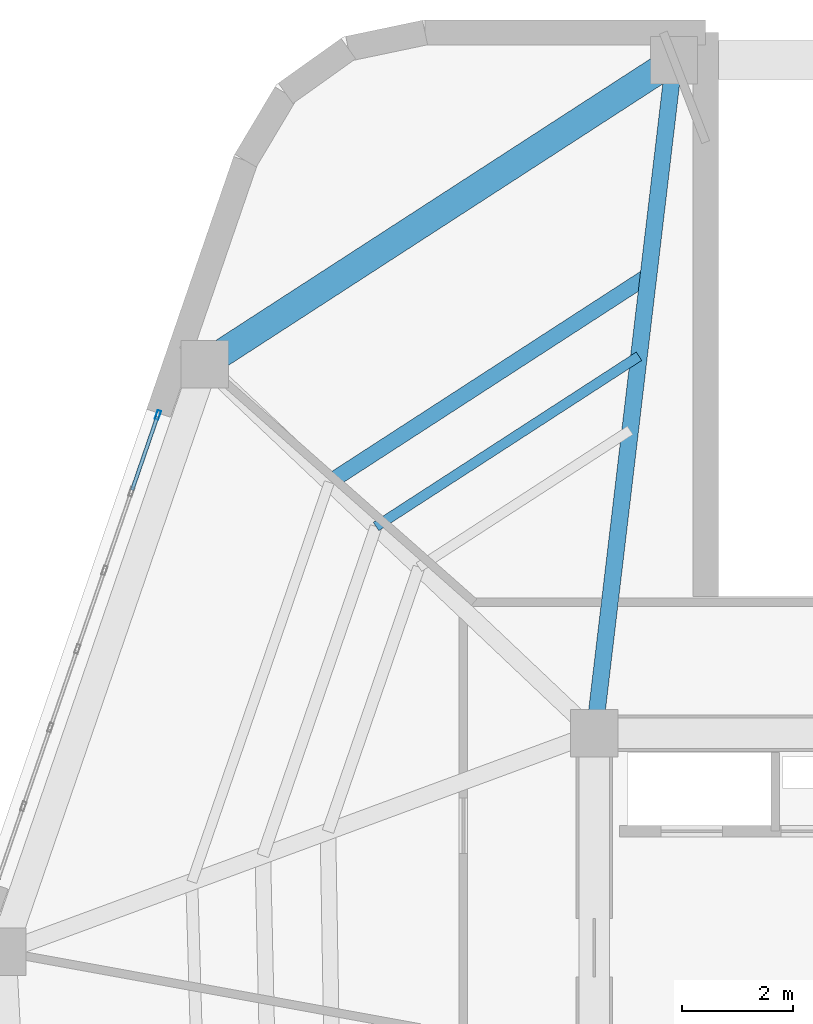
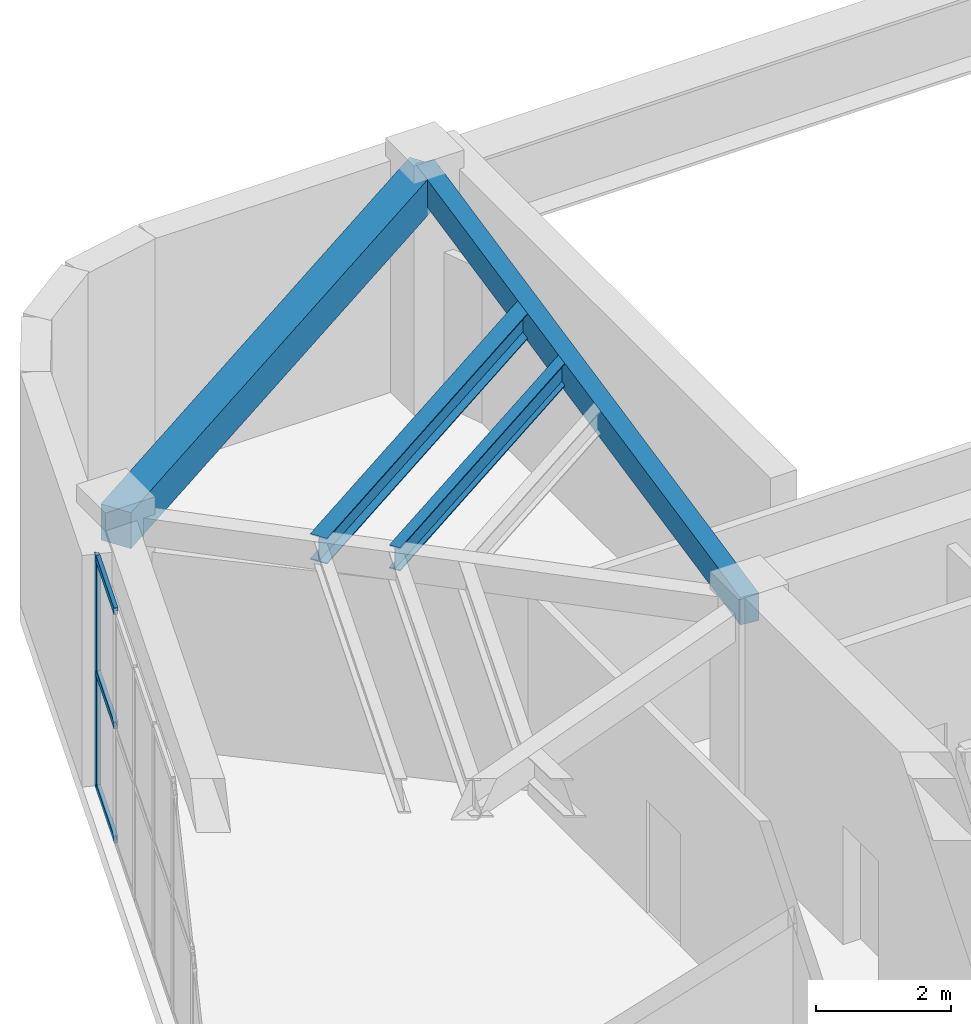
# One storey, part 7 of 15: 4 beams, 4 members, 1 element without a shape of its own.
"""IFC4 building model written with IfcOpenShell, lengths in metres."""

from ifc_helpers import new_model, si_unit, direction, frame, origin, origin_2d, place, context, subcontext, project, spatial, rectangle, hollow_rectangle, i_section, extrude, material, layer, layer_set, material_profile, profile_set, type_object, element, aggregate, save


model = new_model("IFC4")

# Units and contexts
model_context = context("Model", 3, precision=1e-05, world=origin(), true_north=direction((0.0, 1.0)))
body_context = subcontext(model_context, "Body", "Model", "MODEL_VIEW")
ifc_project = project(units=[si_unit("LENGTHUNIT", "METRE"), si_unit("AREAUNIT", "SQUARE_METRE"), si_unit("VOLUMEUNIT", "CUBIC_METRE"), si_unit("PLANEANGLEUNIT", "RADIAN"), si_unit("MASSUNIT", "GRAM", prefix="KILO")], contexts=[model_context])

# Site, building, storey
site_placement = place(None, origin())
site = spatial("IfcSite", under=ifc_project, at=site_placement, CompositionType="ELEMENT")
building_placement = place(site_placement, origin())
building = spatial("IfcBuilding", under=site, at=building_placement, Name="Kilnhurst Terrace Hotel", CompositionType="ELEMENT")
storey_placement = place(building_placement, frame((0.0, 0.0, 293.10009765625)))
storey = spatial("IfcBuildingStorey", under=building, at=storey_placement, Name="L73", CompositionType="ELEMENT", Elevation=293.10009765625)

# Beams
ifc_material_1 = material(Name="Concrete C50/60", Category="concrete")
ifc_material_profile_1 = material_profile(ifc_material_1, rectangle(XDim=0.300048828125, YDim=0.5, at=origin_2d()), Name="RC300X500")
ifc_profile_set_1 = profile_set([ifc_material_profile_1], Name="Concrete C50/60")
beam_type_1 = type_object("IfcBeamType", Name="BM-RAD-300X500", PredefinedType="BEAM", material=ifc_profile_set_1)
beam_1_placement = place(storey_placement, frame((-9.0, 7.5, 3.929931640625), z_axis=(0.117629552811, 0.993057545314, 0.0), x_axis=(-0.993057545314, 0.117629552811, 0.0)))
element("IfcBeam", 1, at=beam_1_placement, inside=storey, type_object=beam_type_1, Name="L73 Radial Floor Beam 8", PredefinedType="BEAM", context=body_context, shape_type="SweptSolid", body=[
    extrude(rectangle(XDim=0.300048828125, YDim=0.5, at=origin_2d()), origin(), (0.0, 0.0, 1.0), 12.16455078125),
])
ifc_material_profile_2 = material_profile(ifc_material_1, rectangle(XDim=0.5, YDim=0.64990234375, at=origin_2d()), Name="RC500X650")
ifc_profile_set_2 = profile_set([ifc_material_profile_2], Name="Concrete C50/60")
beam_type_2 = type_object("IfcBeamType", Name="BM-SPN-500X650", PredefinedType="SPANDREL", material=ifc_profile_set_2)
beam_2_placement = place(storey_placement, frame((-7.569091796875, 19.580078125, 3.85498046875), z_axis=(-0.839258818809, -0.543732135386, 0.0), x_axis=(0.543732135386, -0.839258818809, 0.0)))
element("IfcBeam", 2, at=beam_2_placement, inside=storey, type_object=beam_type_2, Name="L73 Perimeter Spandrel Beam 8", PredefinedType="SPANDREL", context=body_context, shape_type="SweptSolid", body=[
    extrude(rectangle(XDim=0.5, YDim=0.64990234375, at=origin_2d()), origin(), (0.0, 0.0, 1.0), 10.039794921875),
])
ifc_material_2 = material(Name="Steel ASTM A992 Grade 50", Category="steel")
ifc_material_profile_3 = material_profile(ifc_material_2, i_section(OverallWidth=0.180908203125, OverallDepth=0.417236328125, WebThickness=0.010986328125, FlangeThickness=0.018310546875, at=origin_2d()), Name="W16X57")
ifc_profile_set_3 = profile_set([ifc_material_profile_3], Name="Steel ASTM A992 Grade 50")
beam_type_3 = type_object("IfcBeamType", Name="JST-STL-W16X57", PredefinedType="JOIST", material=ifc_profile_set_3)
beam_3_placement = place(storey_placement, frame((-8.198486328125, 14.264892578125, 3.970947265625), z_axis=(-0.839260135854, -0.543730102502, 0.0), x_axis=(0.543730102502, -0.839260135854, 0.0)))
element("IfcBeam", 3, at=beam_3_placement, inside=storey, type_object=beam_type_3, Name="L73 Secondary Floor Steel Joist MID.8", PredefinedType="JOIST", context=body_context, shape_type="SweptSolid", body=[
    extrude(i_section(OverallWidth=0.180908203125, OverallDepth=0.417236328125, WebThickness=0.010986328125, FlangeThickness=0.018310546875, at=origin_2d()), origin(), (0.0, 0.0, 1.0), 5.62255859375),
])
ifc_material_profile_4 = material_profile(ifc_material_2, i_section(OverallWidth=0.279296875, OverallDepth=0.462890625, WebThickness=0.0107421875, FlangeThickness=0.017333984375, at=origin_2d()), Name="W18X76")
ifc_profile_set_4 = profile_set([ifc_material_profile_4], Name="Steel ASTM A992 Grade 50")
beam_type_4 = type_object("IfcBeamType", Name="JST-STL-W18X76", PredefinedType="JOIST", material=ifc_profile_set_4)
beam_4_placement = place(storey_placement, frame((-8.02685546875, 15.71435546875, 3.947998046875), z_axis=(-0.839257246669, -0.543734562001, 0.0), x_axis=(0.543734562001, -0.839257246669, 0.0)))
element("IfcBeam", 4, at=beam_4_placement, inside=storey, type_object=beam_type_4, Name="L73 Secondary Floor Steel Joist OUT.8", PredefinedType="JOIST", context=body_context, shape_type="SweptSolid", body=[
    extrude(i_section(OverallWidth=0.279296875, OverallDepth=0.462890625, WebThickness=0.0107421875, FlangeThickness=0.017333984375, at=origin_2d()), origin(), (0.0, 0.0, 1.0), 6.8271484375),
])

# Curtain wall, members
ifc_material_3 = material(Name="Anodized Aluminium Alloy 6063-T6 and Low-E Glass", Category="aluminium")
ifc_layer = layer(ifc_material_3, 0.219970703125, Name="Anodized Aluminium Alloy 6063-T6 and Low-E Glass")
ifc_layer_set = layer_set([ifc_layer], Name="Anodized Aluminium Alloy 6063-T6 and Low-E Glass")
curtain_wall_type = type_object("IfcCurtainWallType", Name="CW-PORTAL-L72", PredefinedType="NOTDEFINED", material=ifc_layer_set)
curtain_wall_placement = place(storey_placement, origin())
curtain_wall = element("IfcCurtainWall", 5, at=curtain_wall_placement, inside=storey, type_object=curtain_wall_type, Name="L73 Curtain Wall CW-L73-F5-1", PredefinedType="NOTDEFINED")
ifc_material_4 = material(Name="Extruded Aluminium Alloy 6063-T6", Category="aluminium")
ifc_material_profile_5 = material_profile(ifc_material_4, hollow_rectangle(XDim=0.06494140625, YDim=0.1650390625, WallThickness=0.00341796875, at=origin_2d()), Name="CWM65X165")
ifc_profile_set_5 = profile_set([ifc_material_profile_5], Name="Extruded Aluminium Alloy 6063-T6")
member_type_1 = type_object("IfcMemberType", Name="MEM-CWM65X165", PredefinedType="MULLION", material=ifc_profile_set_5)
member_1_placement = place(storey_placement, frame((-16.831298828125, 13.21142578125, 0.0), z_axis=(0.0, 0.0, 1.0), x_axis=(0.945577644137, -0.325396556387, 0.0)))
member_1 = element("IfcMember", 6, at=member_1_placement, type_object=member_type_1, Name="CWP-5 mullion 1", PredefinedType="MULLION", context=body_context, shape_type="SweptSolid", body=[
    extrude(hollow_rectangle(XDim=0.06494140625, YDim=0.1650390625, WallThickness=0.00341796875, at=origin_2d()), origin(), (0.0, 0.0, 1.0), 4.179931640625),
])
ifc_material_profile_6 = material_profile(ifc_material_4, hollow_rectangle(XDim=0.06494140625, YDim=0.1201171875, WallThickness=0.00341796875, at=origin_2d()), Name="CWT65X120")
ifc_profile_set_6 = profile_set([ifc_material_profile_6], Name="Extruded Aluminium Alloy 6063-T6")
member_type_2 = type_object("IfcMemberType", Name="MEM-CWT65X120", PredefinedType="USERDEFINED", material=ifc_profile_set_6)
member_2_placement = place(storey_placement, frame((-16.842041015625, 13.1806640625, 0.032470703125), z_axis=(-0.325402621342, -0.945575557015, 0.0), x_axis=(0.945575557015, -0.325402621342, 0.0)))
member_2 = element("IfcMember", 7, at=member_2_placement, type_object=member_type_2, Name="CWP-5 transom 1.1", ObjectType="TRANSOM", PredefinedType="USERDEFINED", context=body_context, shape_type="SweptSolid", body=[
    extrude(hollow_rectangle(XDim=0.06494140625, YDim=0.1201171875, WallThickness=0.00341796875, at=origin_2d()), origin(), (0.0, 0.0, 1.0), 1.394775390625),
])
member_3_placement = place(storey_placement, frame((-16.842041015625, 13.1806640625, 2.08984375), z_axis=(-0.325402621342, -0.945575557015, 0.0), x_axis=(0.945575557015, -0.325402621342, 0.0)))
member_3 = element("IfcMember", 8, at=member_3_placement, type_object=member_type_2, Name="CWP-5 transom 1.2", ObjectType="TRANSOM", PredefinedType="USERDEFINED", context=body_context, shape_type="SweptSolid", body=[
    extrude(hollow_rectangle(XDim=0.06494140625, YDim=0.1201171875, WallThickness=0.00341796875, at=origin_2d()), origin(), (0.0, 0.0, 1.0), 1.394775390625),
])
member_4_placement = place(storey_placement, frame((-16.842041015625, 13.1806640625, 4.1474609375), z_axis=(-0.325402621342, -0.945575557015, 0.0), x_axis=(0.945575557015, -0.325402621342, 0.0)))
member_4 = element("IfcMember", 9, at=member_4_placement, type_object=member_type_2, Name="CWP-5 transom 1.3", ObjectType="TRANSOM", PredefinedType="USERDEFINED", context=body_context, shape_type="SweptSolid", body=[
    extrude(hollow_rectangle(XDim=0.06494140625, YDim=0.1201171875, WallThickness=0.00341796875, at=origin_2d()), origin(), (0.0, 0.0, 1.0), 1.394775390625),
])
aggregate(curtain_wall, [member_1, member_2, member_3, member_4])

save(model, "model.ifc")
